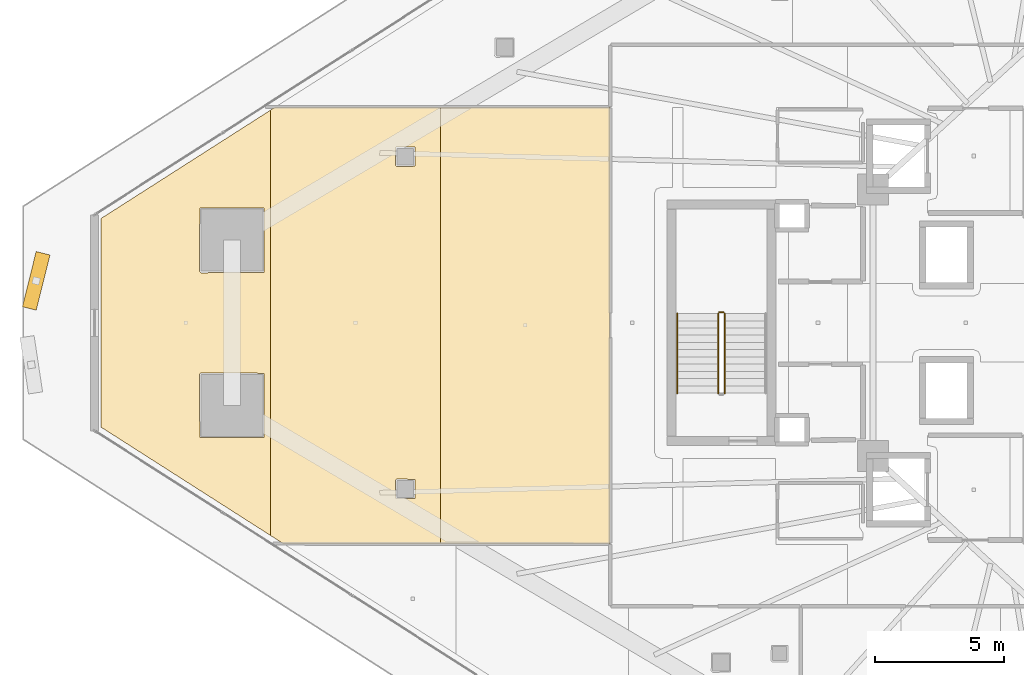
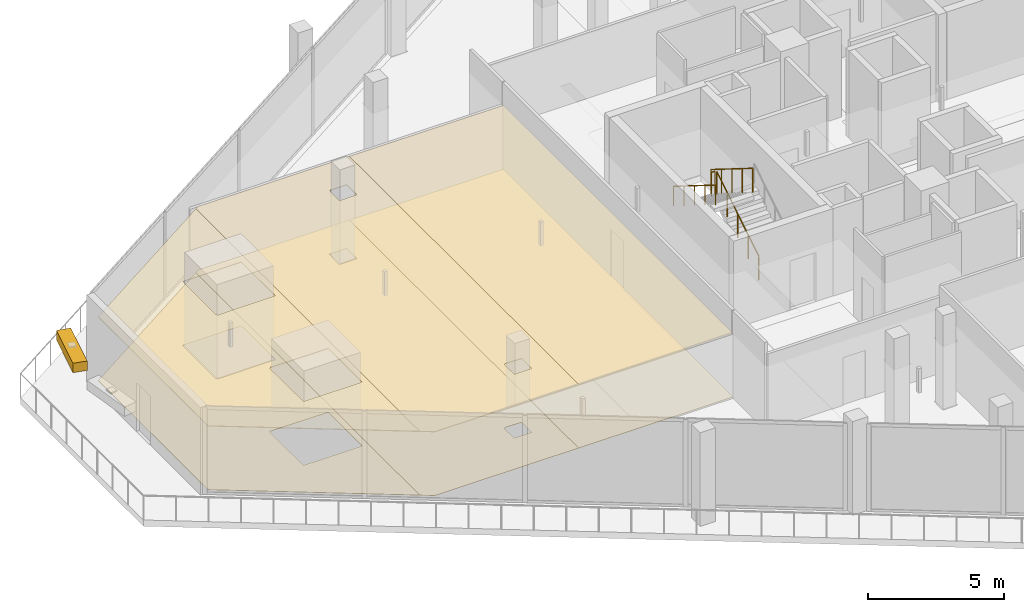
# One storey, part 40 of 44: 6 coverings, 4 railings, 1 shading device.
"""IFC4 building model written with IfcOpenShell, lengths in metres."""

from ifc_helpers import new_model, si_unit, direction, frame, origin, origin_2d, place, context, subcontext, project, spatial, polyline, rectangle, circle, outline, extrude, material, layer, layer_set, type_object, element, save


model = new_model("IFC4")

# Units and contexts
model_context = context("Model", 3, precision=1e-05, world=origin(), true_north=direction((0.0, 1.0)))
body_context = subcontext(model_context, "Body", "Model", "MODEL_VIEW")
ifc_project = project(units=[si_unit("LENGTHUNIT", "METRE"), si_unit("AREAUNIT", "SQUARE_METRE"), si_unit("VOLUMEUNIT", "CUBIC_METRE"), si_unit("PLANEANGLEUNIT", "RADIAN"), si_unit("MASSUNIT", "GRAM", prefix="KILO")], contexts=[model_context])

# Site, building, storey
site_placement = place(None, origin())
site = spatial("IfcSite", under=ifc_project, at=site_placement, CompositionType="ELEMENT")
building_placement = place(site_placement, origin())
building = spatial("IfcBuilding", under=site, at=building_placement, Name="Qorvath Tower", CompositionType="ELEMENT")
storey_placement = place(building_placement, frame((0.0, 0.0, 40.800048828125)))
storey = spatial("IfcBuildingStorey", under=building, at=storey_placement, Name="L08", CompositionType="ELEMENT", Elevation=40.800048828125)

# Coverings
ifc_material_1 = material(Name="Acoustic mineral fibre ceiling tile", Category="gypsum")
ifc_layer_1 = layer(ifc_material_1, 0.030029296875)
ifc_layer_set_1 = layer_set([ifc_layer_1], Name="COV-CEIL")
covering_type_1 = type_object("IfcCoveringType", Name="COV-CEIL", PredefinedType="CEILING", material=ifc_layer_set_1)
covering_1_placement = place(storey_placement, frame((0.0, 0.0, 2.849853515625)))
element("IfcCovering", 1, at=covering_1_placement, inside=storey, type_object=covering_type_1, Name="L08 Suspended Acoustic Ceiling 028", PredefinedType="CEILING", context=body_context, shape_type="SweptSolid", body=[
    extrude(outline(polyline([(-53.784912109375, -8.229736328125), (-53.784912109375, 8.229736328125), (-60.345947265625, 4.036376953125), (-60.345947265625, -4.036376953125), (-53.784912109375, -8.229736328125)]), holes=[polyline([(-56.54296875, -1.994384765625), (-56.48291015625, -1.9345703125), (-54.04052734375, -1.9521484375), (-54.04052734375, -4.43701171875), (-56.525390625, -4.43701171875), (-56.54296875, -1.994384765625)]), polyline([(-56.54296875, 1.994384765625), (-56.525390625, 4.43701171875), (-54.04052734375, 4.43701171875), (-54.04052734375, 1.9521484375), (-56.48291015625, 1.9345703125), (-56.54296875, 1.994384765625)])]), origin(), (0.0, 0.0, 1.0), 0.030029296875),
])
covering_2_placement = place(storey_placement, frame((0.0, 0.0, 2.849853515625)))
element("IfcCovering", 2, at=covering_2_placement, inside=storey, type_object=covering_type_1, Name="L08 Suspended Acoustic Ceiling 029", PredefinedType="CEILING", context=body_context, shape_type="SweptSolid", body=[
    extrude(outline(polyline([(-47.22412109375, -8.53125), (-47.22412109375, 8.3369140625), (-53.6171875, 8.3369140625), (-53.784912109375, 8.229736328125), (-53.784912109375, -8.229736328125), (-53.3212890625, -8.526123046875), (-47.22412109375, -8.53125)]), holes=[polyline([(-48.96337890625, -6.099609375), (-48.9033203125, -6.03955078125), (-48.2109375, -6.05712890625), (-48.2109375, -6.7919921875), (-48.94580078125, -6.7919921875), (-48.96337890625, -6.099609375)]), polyline([(-48.96337890625, 6.099609375), (-48.94580078125, 6.7919921875), (-48.2109375, 6.7919921875), (-48.2109375, 6.05712890625), (-48.9033203125, 6.03955078125), (-48.96337890625, 6.099609375)])]), origin(), (0.0, 0.0, 1.0), 0.030029296875),
])
covering_3_placement = place(storey_placement, frame((0.0, 0.0, 2.849853515625)))
element("IfcCovering", 3, at=covering_3_placement, inside=storey, type_object=covering_type_1, Name="L08 Suspended Acoustic Ceiling 030", PredefinedType="CEILING", context=body_context, shape_type="SweptSolid", body=[
    extrude(outline(polyline([(-40.6630859375, 8.3369140625), (-47.22412109375, 8.3369140625), (-47.22412109375, -8.53125), (-40.6630859375, -8.537109375), (-40.6630859375, 8.3369140625)])), origin(), (0.0, 0.0, 1.0), 0.030029296875),
])
ifc_material_2 = material(Name="Low-VOC modular carpet tile", Category="textile")
ifc_layer_2 = layer(ifc_material_2, 0.014892578125)
ifc_layer_set_2 = layer_set([ifc_layer_2], Name="COV-FLOOR-CPT")
covering_type_2 = type_object("IfcCoveringType", Name="COV-FLOOR-CPT", PredefinedType="FLOORING", material=ifc_layer_set_2)
covering_4_placement = place(storey_placement, origin())
element("IfcCovering", 4, at=covering_4_placement, inside=storey, type_object=covering_type_2, Name="L08 Floor Finish 028", PredefinedType="FLOORING", context=body_context, shape_type="SweptSolid", body=[
    extrude(outline(polyline([(-53.784912109375, -8.229736328125), (-53.784912109375, 8.229736328125), (-60.345947265625, 4.036376953125), (-60.345947265625, -4.036376953125), (-53.784912109375, -8.229736328125)]), holes=[polyline([(-56.54296875, -1.994384765625), (-56.48291015625, -1.9345703125), (-54.04052734375, -1.9521484375), (-54.04052734375, -4.43701171875), (-56.525390625, -4.43701171875), (-56.54296875, -1.994384765625)]), polyline([(-56.54296875, 1.994384765625), (-56.525390625, 4.43701171875), (-54.04052734375, 4.43701171875), (-54.04052734375, 1.9521484375), (-56.48291015625, 1.9345703125), (-56.54296875, 1.994384765625)])]), origin(), (0.0, 0.0, 1.0), 0.014892578125),
])
covering_5_placement = place(storey_placement, origin())
element("IfcCovering", 5, at=covering_5_placement, inside=storey, type_object=covering_type_2, Name="L08 Floor Finish 029", PredefinedType="FLOORING", context=body_context, shape_type="SweptSolid", body=[
    extrude(outline(polyline([(-47.22412109375, -8.53125), (-47.22412109375, 8.3369140625), (-53.6171875, 8.3369140625), (-53.784912109375, 8.229736328125), (-53.784912109375, -8.229736328125), (-53.3212890625, -8.526123046875), (-47.22412109375, -8.53125)]), holes=[polyline([(-48.96337890625, -6.099609375), (-48.9033203125, -6.03955078125), (-48.2109375, -6.05712890625), (-48.2109375, -6.7919921875), (-48.94580078125, -6.7919921875), (-48.96337890625, -6.099609375)]), polyline([(-48.96337890625, 6.099609375), (-48.94580078125, 6.7919921875), (-48.2109375, 6.7919921875), (-48.2109375, 6.05712890625), (-48.9033203125, 6.03955078125), (-48.96337890625, 6.099609375)])]), origin(), (0.0, 0.0, 1.0), 0.014892578125),
])
covering_6_placement = place(storey_placement, origin())
element("IfcCovering", 6, at=covering_6_placement, inside=storey, type_object=covering_type_2, Name="L08 Floor Finish 030", PredefinedType="FLOORING", context=body_context, shape_type="SweptSolid", body=[
    extrude(outline(polyline([(-40.6630859375, 8.3369140625), (-47.22412109375, 8.3369140625), (-47.22412109375, -8.53125), (-40.6630859375, -8.537109375), (-40.6630859375, 8.3369140625)])), origin(), (0.0, 0.0, 1.0), 0.014892578125),
])

# Railings
ifc_material_3 = material(Name="Painted galvanised steel", Category="steel")
railing_type_1 = type_object("IfcRailingType", Name="RL-STR-GRD", PredefinedType="GUARDRAIL", material=ifc_material_3)
railing_1_placement = place(storey_placement, frame((-36.22998046875, -2.719970703125, 0.175048828125)))
element("IfcRailing", 7, at=railing_1_placement, inside=storey, type_object=railing_type_1, Name="L08 TS3 stair guard 1", PredefinedType="GUARDRAIL", context=body_context, shape_type="SweptSolid", body=[
    extrude(circle(Radius=0.02392578125, at=origin_2d()), frame((0.0, 0.0, 1.076171875), z_axis=(0.0, 0.848028513186, 0.529950602248), x_axis=(-1.0, 0.0, 0.0)), (0.0, 0.0, 1.0), 3.632080078125),
    extrude(circle(Radius=0.02099609375, at=origin_2d()), origin(), (0.0, 0.0, 1.0), 1.052001953125),
    extrude(circle(Radius=0.02099609375, at=origin_2d()), frame((0.0, 0.77001953125, 0.481201171875)), (0.0, 0.0, 1.0), 1.052001953125),
    extrude(circle(Radius=0.02099609375, at=origin_2d()), frame((0.0, 1.5400390625, 0.96240234375)), (0.0, 0.0, 1.0), 1.052001953125),
    extrude(circle(Radius=0.02099609375, at=origin_2d()), frame((0.0, 2.31005859375, 1.443603515625)), (0.0, 0.0, 1.0), 1.052001953125),
    extrude(circle(Radius=0.02099609375, at=origin_2d()), frame((0.0, 3.080078125, 1.9248046875)), (0.0, 0.0, 1.0), 1.052001953125),
])
railing_2_placement = place(storey_placement, frame((-36.280029296875, 0.409912109375, 2.099853515625)))
element("IfcRailing", 8, at=railing_2_placement, inside=storey, type_object=railing_type_1, Name="L08 TS3 stair guard 2", PredefinedType="GUARDRAIL", context=body_context, shape_type="SweptSolid", body=[
    extrude(circle(Radius=0.02392578125, at=origin_2d()), frame((0.0, 0.0, 1.076171875), z_axis=(-1.0, 0.0, 0.0), x_axis=(0.0, -1.0, 0.0)), (0.0, 0.0, 1.0), 0.14990234375),
    extrude(circle(Radius=0.02099609375, at=origin_2d()), origin(), (0.0, 0.0, 1.0), 1.052001953125),
    extrude(circle(Radius=0.02099609375, at=origin_2d()), frame((-0.14990234375, 0.0, 0.0)), (0.0, 0.0, 1.0), 1.052001953125),
])
railing_3_placement = place(storey_placement, frame((-36.47998046875, 0.360107421875, 2.27490234375)))
element("IfcRailing", 9, at=railing_3_placement, inside=storey, type_object=railing_type_1, Name="L08 TS3 stair guard 3", PredefinedType="GUARDRAIL", context=body_context, shape_type="SweptSolid", body=[
    extrude(circle(Radius=0.02392578125, at=origin_2d()), frame((0.0, 0.0, 1.076171875), z_axis=(0.0, -0.847998304005, 0.529998940003), x_axis=(1.0, 0.0, 0.0)), (0.0, 0.0, 1.0), 3.632080078125),
    extrude(circle(Radius=0.02099609375, at=origin_2d()), origin(), (0.0, 0.0, 1.0), 1.052001953125),
    extrude(circle(Radius=0.02099609375, at=origin_2d()), frame((0.0, -0.77001953125, 0.481201171875)), (0.0, 0.0, 1.0), 1.052001953125),
    extrude(circle(Radius=0.02099609375, at=origin_2d()), frame((0.0, -1.5400390625, 0.96240234375)), (0.0, 0.0, 1.0), 1.052001953125),
    extrude(circle(Radius=0.02099609375, at=origin_2d()), frame((0.0, -2.31005859375, 1.44384765625)), (0.0, 0.0, 1.0), 1.052001953125),
    extrude(circle(Radius=0.02099609375, at=origin_2d()), frame((0.0, -3.080078125, 1.925048828125)), (0.0, 0.0, 1.0), 1.052001953125),
])
ifc_material_4 = material(Name="Brushed stainless steel AISI 304", Category="steel")
railing_type_2 = type_object("IfcRailingType", Name="RL-STR-HND", PredefinedType="HANDRAIL", material=ifc_material_4)
railing_4_placement = place(storey_placement, frame((-38.06005859375, 0.360107421875, 2.27490234375)))
element("IfcRailing", 10, at=railing_4_placement, inside=storey, type_object=railing_type_2, Name="L08 TS3 stair handrail 2", PredefinedType="HANDRAIL", context=body_context, shape_type="SweptSolid", body=[
    extrude(circle(Radius=0.02392578125, at=origin_2d()), frame((0.0, 0.0, 0.8759765625), z_axis=(0.0, -0.847998304005, 0.529998940003), x_axis=(1.0, 0.0, 0.0)), (0.0, 0.0, 1.0), 3.632080078125),
    extrude(circle(Radius=0.02099609375, at=origin_2d()), origin(), (0.0, 0.0, 1.0), 0.851806640625),
    extrude(circle(Radius=0.02099609375, at=origin_2d()), frame((0.0, -0.77001953125, 0.481201171875)), (0.0, 0.0, 1.0), 0.851806640625),
    extrude(circle(Radius=0.02099609375, at=origin_2d()), frame((0.0, -1.5400390625, 0.96240234375)), (0.0, 0.0, 1.0), 0.851806640625),
    extrude(circle(Radius=0.02099609375, at=origin_2d()), frame((0.0, -2.31005859375, 1.44384765625)), (0.0, 0.0, 1.0), 0.851806640625),
    extrude(circle(Radius=0.02099609375, at=origin_2d()), frame((0.0, -3.080078125, 1.925048828125)), (0.0, 0.0, 1.0), 0.851806640625),
])

# Shading device
ifc_material_5 = material(Name="Anodised bronze-champagne aluminium", Category="aluminium")
shading_device_type = type_object("IfcShadingDeviceType", Name="SD-LOUVRE", PredefinedType="JALOUSIE", material=ifc_material_5)
shading_device_placement = place(storey_placement, frame((-62.855712890625, 1.62353515625, 3.5), z_axis=(0.0, 0.0, 1.0), x_axis=(-0.242352017134, -0.970188383661, 0.0)))
element("IfcShadingDevice", 11, at=shading_device_placement, inside=storey, type_object=shading_device_type, Name="Sinusoidal Wave Louvre Blade L08-01", PredefinedType="NOTDEFINED", context=body_context, shape_type="SweptSolid", body=[
    extrude(rectangle(XDim=2.199951171875, YDim=0.550048828125, at=origin_2d()), origin(), (0.0, 0.0, 1.0), 0.419921875),
])

save(model, "model.ifc")
